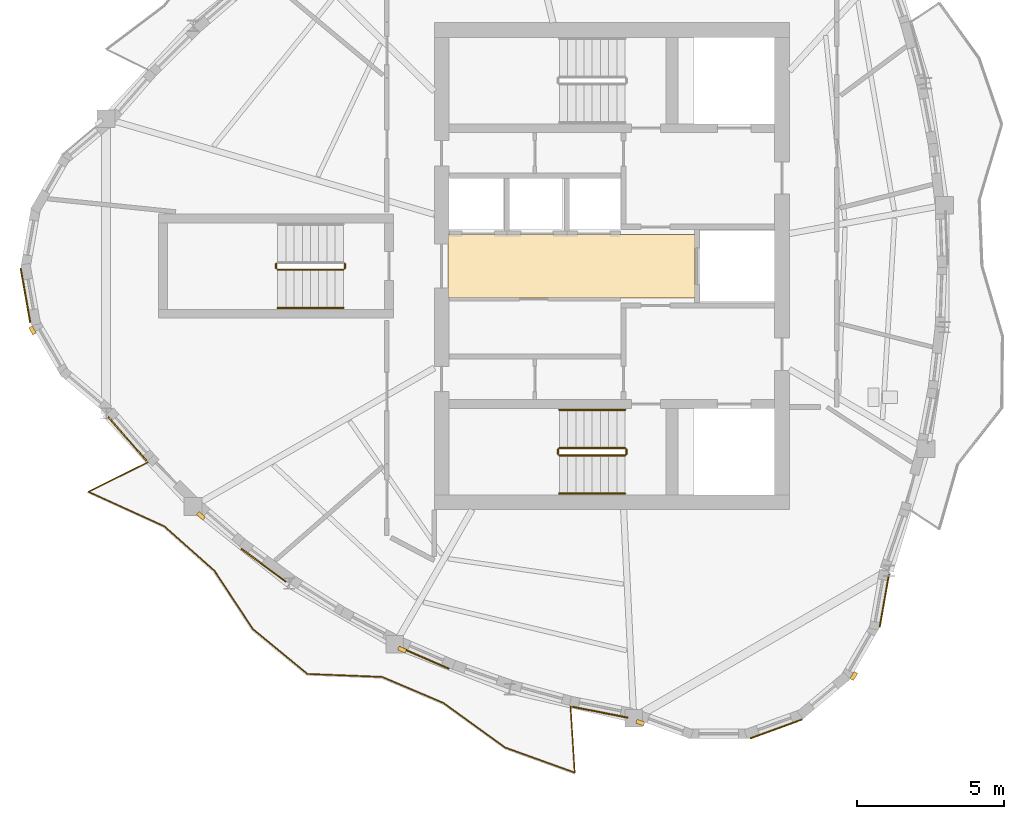
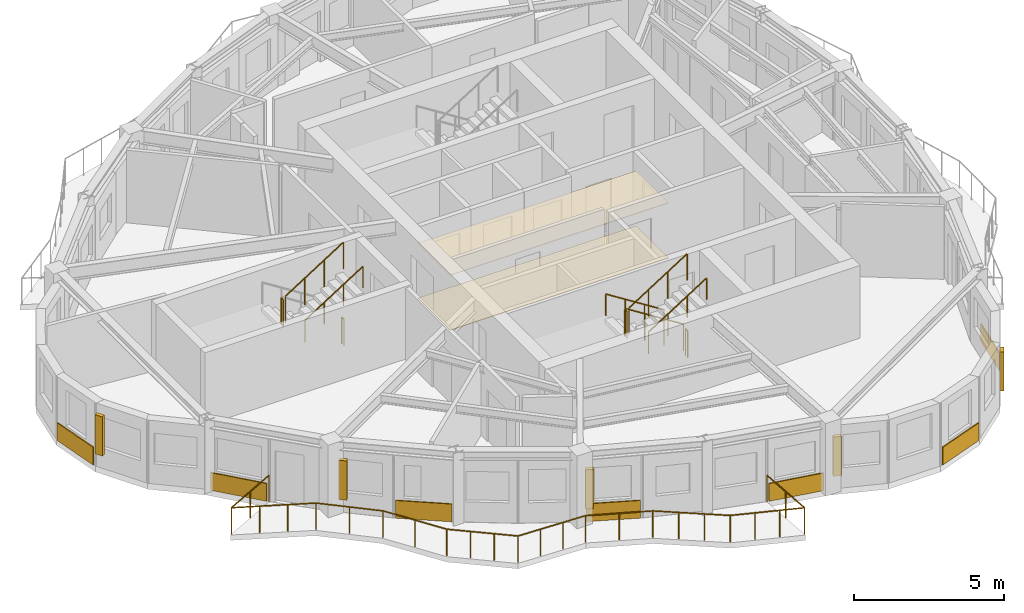
# One storey, part 8 of 11: 11 railings, 9 coverings, 5 shading devices.
"""IFC4 building model written with IfcOpenShell, lengths in metres."""

from ifc_helpers import new_model, si_unit, direction, frame, origin, origin_2d, place, context, subcontext, project, spatial, polyline, rectangle, circle, outline, extrude, source, transform, mapped, material, layer, layer_set, type_object, element, save


model = new_model("IFC4")

# Units and contexts
model_context = context("Model", 3, precision=1e-05, world=origin(), true_north=direction((0.0, 1.0)))
body_context = subcontext(model_context, "Body", "Model", "MODEL_VIEW")
ifc_project = project(units=[si_unit("LENGTHUNIT", "METRE"), si_unit("AREAUNIT", "SQUARE_METRE"), si_unit("VOLUMEUNIT", "CUBIC_METRE"), si_unit("PLANEANGLEUNIT", "RADIAN"), si_unit("MASSUNIT", "GRAM", prefix="KILO")], contexts=[model_context])

# Site, building, storey
site_placement = place(None, origin())
site = spatial("IfcSite", under=ifc_project, at=site_placement, CompositionType="ELEMENT")
building_placement = place(site_placement, origin())
building = spatial("IfcBuilding", under=site, at=building_placement, Name="Qafzar Sky-Pleat Residences", CompositionType="ELEMENT")
storey_placement = place(building_placement, frame((0.0, 0.0, 234.0)))
storey = spatial("IfcBuildingStorey", under=building, at=storey_placement, Name="L70", CompositionType="ELEMENT", Elevation=234.0)

# Coverings
ifc_material_1 = material(Name="Perforated acoustic gypsum board ceiling")
ifc_layer_1 = layer(ifc_material_1, 0.02001953125)
ifc_layer_set_1 = layer_set([ifc_layer_1], Name="Perforated acoustic gypsum board ceiling")
covering_type_1 = type_object("IfcCoveringType", Name="COV-CEIL-ACOUSTIC", PredefinedType="CEILING", material=ifc_layer_set_1)
covering_1_placement = place(storey_placement, frame((0.0, 0.0, 2.239990234375)))
element("IfcCovering", 1, at=covering_1_placement, inside=storey, type_object=covering_type_1, Name="L70 Passenger Lift Lobby Acoustic Ceiling", PredefinedType="CEILING", context=body_context, shape_type="SweptSolid", body=[
    extrude(outline(polyline([(33.179931640625, 24.919921875), (24.77001953125, 24.919921875), (24.77001953125, 27.080078125), (33.179931640625, 27.080078125), (33.179931640625, 24.919921875)])), origin(), (0.0, 0.0, 1.0), 0.02001953125),
])
ifc_material_2 = material(Name="Honed porcelain and Riyadh stone tile flooring", Category="masonry")
ifc_layer_2 = layer(ifc_material_2, 0.02001953125)
ifc_layer_set_2 = layer_set([ifc_layer_2], Name="Honed porcelain and Riyadh stone tile flooring")
covering_type_2 = type_object("IfcCoveringType", Name="COV-FLR-PORCELAIN", PredefinedType="FLOORING", material=ifc_layer_set_2)
covering_2_placement = place(storey_placement, origin())
element("IfcCovering", 2, at=covering_2_placement, inside=storey, type_object=covering_type_2, Name="L70 Passenger Lift Lobby Honed Stone Flooring", PredefinedType="FLOORING", context=body_context, shape_type="SweptSolid", body=[
    extrude(outline(polyline([(33.179931640625, 24.919921875), (24.77001953125, 24.919921875), (24.77001953125, 27.080078125), (33.179931640625, 27.080078125), (33.179931640625, 24.919921875)])), origin(), (0.0, 0.0, 1.0), 0.02001953125),
])

# Shading devices
ifc_material_3 = material(Name="Honed Riyadh limestone solar fin", Category="masonry")
ifc_layer_3 = layer(ifc_material_3, 0.139892578125)
ifc_layer_set_3 = layer_set([ifc_layer_3], Name="Honed Riyadh limestone solar fin")
shading_device_type = type_object("IfcShadingDeviceType", Name="SHD-FIN-STONE", PredefinedType="SHUTTER", material=ifc_layer_set_3)
shared_shape_1 = source(origin(), body_context, "Body", "SweptSolid", [
    extrude(rectangle(XDim=0.139892578125, YDim=0.280029296875, at=origin_2d()), origin(), (0.0, 0.0, 1.0), 1.60009765625),
])
for number, where, z_axis, x_axis, name in (
    (3, (10.6044921875, 23.80859375, 0.599853515625), (0.0, 0.0, 1.0), (-0.86604422228, -0.499967403994, 0.0), "L70 Limestone Solar Fin 5"),
    (4, (16.344482421875, 17.4892578125, 0.599853515625), (0.0, 0.0, 1.0), (-0.652846034361, -0.757490630582, 0.0), "L70 Limestone Solar Fin 9"),
    (5, (23.202392578125, 12.927734375, 0.599853515625), (0.0, 0.0, 1.0), (-0.398671879027, -0.917093633646, 0.0), "L70 Limestone Solar Fin 13"),
    (6, (31.318115234375, 10.443115234375, 0.599853515625), (0.0, 0.0, 1.0), (-0.342010122116, -0.939696268148, 0.0), "L70 Limestone Solar Fin 17"),
    (7, (38.595458984375, 12.03076171875, 0.599853515625), (0.0, 0.0, 1.0), (0.86603181203, -0.499988900429, 0.0), "L70 Limestone Solar Fin 21"),
):
    element("IfcShadingDevice", number, at=place(storey_placement, frame(where, z_axis=z_axis, x_axis=x_axis)), inside=storey, type_object=shading_device_type, Name=name, PredefinedType="SHUTTER", context=body_context, shape_type="MappedRepresentation", body=[
        mapped(shared_shape_1, transform((0.0, 0.0, 0.0), x_axis=(1.0, 0.0, 0.0), y_axis=(0.0, 1.0, 0.0), z_axis=(0.0, 0.0, 1.0), scale=1.0)),
    ])

# Coverings
ifc_material_4 = material(Name="Honed Riyadh Tuwaiq limestone cladding", Category="masonry")
ifc_layer_4 = layer(ifc_material_4, 0.044921875)
ifc_layer_set_4 = layer_set([ifc_layer_4], Name="Honed Riyadh Tuwaiq limestone cladding")
covering_type_3 = type_object("IfcCoveringType", Name="COV-CLAD-STONE", PredefinedType="CLADDING", material=ifc_layer_set_4)
shared_shape_2 = source(origin(), body_context, "Body", "SweptSolid", [
    extrude(rectangle(XDim=1.88134765625, YDim=0.044921875, at=origin_2d()), origin(), (0.0, 0.0, 1.0), 0.719970703125),
])
covering_3_placement = place(storey_placement, frame((10.36328125, 25.00439453125, 0.02001953125), z_axis=(0.0, 0.0, 1.0), x_axis=(0.173662519465, -0.984805224059, 0.0)))
element("IfcCovering", 8, at=covering_3_placement, inside=storey, type_object=covering_type_3, Name="L70 Riyadh Limestone Spandrel Cladding 4", PredefinedType="CLADDING", context=body_context, shape_type="MappedRepresentation", body=[
    mapped(shared_shape_2, transform((0.0, 0.0, 0.0), x_axis=(1.0, 0.0, 0.0), y_axis=(0.0, 1.0, 0.0), z_axis=(0.0, 0.0, 1.0), scale=1.0)),
])
shared_shape_3 = source(origin(), body_context, "Body", "SweptSolid", [
    extrude(rectangle(XDim=1.8291015625, YDim=0.044921875, at=origin_2d()), origin(), (0.0, 0.0, 1.0), 0.719970703125),
])
covering_4_placement = place(storey_placement, frame((39.63671875, 14.592041015625, 0.02001953125), z_axis=(0.0, 0.0, 1.0), x_axis=(0.173687091871, 0.984800890595, 0.0)))
element("IfcCovering", 9, at=covering_4_placement, inside=storey, type_object=covering_type_3, Name="L70 Riyadh Limestone Spandrel Cladding 22", PredefinedType="CLADDING", context=body_context, shape_type="MappedRepresentation", body=[
    mapped(shared_shape_3, transform((0.0, 0.0, 0.0), x_axis=(1.0, 0.0, 0.0), y_axis=(0.0, 1.0, 0.0), z_axis=(0.0, 0.0, 1.0), scale=1.0)),
])
shared_shape_4 = source(origin(), body_context, "Body", "SweptSolid", [
    extrude(rectangle(XDim=1.881103515625, YDim=0.044921875, at=origin_2d()), origin(), (0.0, 0.0, 1.0), 0.719970703125),
])
covering_5_placement = place(storey_placement, frame((35.9560546875, 10.228271484375, 0.02001953125), z_axis=(0.0, 0.0, 1.0), x_axis=(0.939709584691, 0.341973531784, 0.0)))
element("IfcCovering", 10, at=covering_5_placement, inside=storey, type_object=covering_type_3, Name="L70 Riyadh Limestone Spandrel Cladding 19", PredefinedType="CLADDING", context=body_context, shape_type="MappedRepresentation", body=[
    mapped(shared_shape_4, transform((0.0, 0.0, 0.0), x_axis=(1.0, 0.0, 0.0), y_axis=(0.0, 1.0, 0.0), z_axis=(0.0, 0.0, 1.0), scale=1.0)),
])

# Railing
ifc_material_5 = material(Name="Laminated glass and bronze steel balustrade", Category="steel")
railing_type_1 = type_object("IfcRailingType", Name="RAIL-BAL-1100", PredefinedType="BALUSTRADE", material=ifc_material_5)
shared_shape_5 = source(origin(), body_context, "Body", "SweptSolid", [
    extrude(circle(Radius=0.02392578125, at=origin_2d()), frame((0.0, 0.0, 1.076171875), z_axis=(-0.89564942383, -0.444760732971, 0.0), x_axis=(0.444760732971, -0.89564942383, 0.0)), (0.0, 0.0, 1.0), 2.27099609375),
    extrude(circle(Radius=0.02392578125, at=origin_2d()), frame((-2.033935546875, -1.010009765625, 1.076171875), z_axis=(0.910366477463, -0.413802944301, 0.0), x_axis=(0.413802944301, 0.910366477463, 0.0)), (0.0, 0.0, 1.0), 2.8408203125),
    extrude(circle(Radius=0.02392578125, at=origin_2d()), frame((0.55224609375, -2.185546875, 1.076171875), z_axis=(0.748363819433, -0.663288469494, 0.0), x_axis=(0.663288469494, 0.748363819433, 0.0)), (0.0, 0.0, 1.0), 2.2841796875),
    extrude(circle(Radius=0.02392578125, at=origin_2d()), frame((2.26171875, -3.70068359375, 1.076171875), z_axis=(0.550173671464, -0.835050256708, 0.0), x_axis=(0.835050256708, 0.550173671464, 0.0)), (0.0, 0.0, 1.0), 2.381591796875),
    extrude(circle(Radius=0.02392578125, at=origin_2d()), frame((3.572021484375, -5.689453125, 1.076171875), z_axis=(0.772459752686, -0.63506372159, 0.0), x_axis=(0.63506372159, 0.772459752686, 0.0)), (0.0, 0.0, 1.0), 2.40771484375),
    extrude(circle(Radius=0.02392578125, at=origin_2d()), frame((5.431884765625, -7.218505859375, 1.076171875), z_axis=(0.99920889914, -0.039769031662, 0.0), x_axis=(0.039769031662, 0.99920889914, 0.0)), (0.0, 0.0, 1.0), 2.547607421875),
    extrude(circle(Radius=0.02392578125, at=origin_2d()), frame((7.9775390625, -7.31982421875, 1.076171875), z_axis=(0.920510173291, -0.390718595498, 0.0), x_axis=(0.390718595498, 0.920510173291, 0.0)), (0.0, 0.0, 1.0), 2.266357421875),
    extrude(circle(Radius=0.02392578125, at=origin_2d()), frame((10.063720703125, -8.205322265625, 1.076171875), z_axis=(0.810582500659, -0.58562446126, 0.0), x_axis=(0.58562446126, 0.810582500659, 0.0)), (0.0, 0.0, 1.0), 2.595947265625),
    extrude(circle(Radius=0.02392578125, at=origin_2d()), frame((12.16796875, -9.7255859375, 1.076171875), z_axis=(0.940896046859, -0.338695481231, 0.0), x_axis=(0.338695481231, 0.940896046859, 0.0)), (0.0, 0.0, 1.0), 2.52294921875),
    extrude(circle(Radius=0.02392578125, at=origin_2d()), frame((14.541748046875, -10.580078125, 1.076171875), z_axis=(-0.062679484192, 0.998033707979, 0.0), x_axis=(-0.998033707979, -0.062679484192, 0.0)), (0.0, 0.0, 1.0), 2.270751953125),
    extrude(circle(Radius=0.02099609375, at=origin_2d()), origin(), (0.0, 0.0, 1.0), 1.052001953125),
    extrude(circle(Radius=0.02099609375, at=origin_2d()), frame((-1.01708984375, -0.5048828125, 0.0)), (0.0, 0.0, 1.0), 1.052001953125),
    extrude(circle(Radius=0.02099609375, at=origin_2d()), frame((-2.033935546875, -1.010009765625, 0.0)), (0.0, 0.0, 1.0), 1.052001953125),
    extrude(circle(Radius=0.02099609375, at=origin_2d()), frame((-1.171875, -1.40185546875, 0.0)), (0.0, 0.0, 1.0), 1.052001953125),
    extrude(circle(Radius=0.02099609375, at=origin_2d()), frame((-0.309814453125, -1.793701171875, 0.0)), (0.0, 0.0, 1.0), 1.052001953125),
    extrude(circle(Radius=0.02099609375, at=origin_2d()), frame((0.55224609375, -2.185546875, 0.0)), (0.0, 0.0, 1.0), 1.052001953125),
    extrude(circle(Radius=0.02099609375, at=origin_2d()), frame((1.406982421875, -2.943115234375, 0.0)), (0.0, 0.0, 1.0), 1.052001953125),
    extrude(circle(Radius=0.02099609375, at=origin_2d()), frame((2.26171875, -3.70068359375, 0.0)), (0.0, 0.0, 1.0), 1.052001953125),
    extrude(circle(Radius=0.02099609375, at=origin_2d()), frame((2.9169921875, -4.695068359375, 0.0)), (0.0, 0.0, 1.0), 1.052001953125),
    extrude(circle(Radius=0.02099609375, at=origin_2d()), frame((3.572021484375, -5.689453125, 0.0)), (0.0, 0.0, 1.0), 1.052001953125),
    extrude(circle(Radius=0.02099609375, at=origin_2d()), frame((4.19189453125, -6.19921875, 0.0)), (0.0, 0.0, 1.0), 1.052001953125),
    extrude(circle(Radius=0.02099609375, at=origin_2d()), frame((4.81201171875, -6.708740234375, 0.0)), (0.0, 0.0, 1.0), 1.052001953125),
    extrude(circle(Radius=0.02099609375, at=origin_2d()), frame((5.431884765625, -7.218505859375, 0.0)), (0.0, 0.0, 1.0), 1.052001953125),
    extrude(circle(Radius=0.02099609375, at=origin_2d()), frame((6.280517578125, -7.252197265625, 0.0)), (0.0, 0.0, 1.0), 1.052001953125),
    extrude(circle(Radius=0.02099609375, at=origin_2d()), frame((7.12890625, -7.2861328125, 0.0)), (0.0, 0.0, 1.0), 1.052001953125),
    extrude(circle(Radius=0.02099609375, at=origin_2d()), frame((7.9775390625, -7.31982421875, 0.0)), (0.0, 0.0, 1.0), 1.052001953125),
    extrude(circle(Radius=0.02099609375, at=origin_2d()), frame((9.0205078125, -7.7626953125, 0.0)), (0.0, 0.0, 1.0), 1.052001953125),
    extrude(circle(Radius=0.02099609375, at=origin_2d()), frame((10.063720703125, -8.205322265625, 0.0)), (0.0, 0.0, 1.0), 1.052001953125),
    extrude(circle(Radius=0.02099609375, at=origin_2d()), frame((10.76513671875, -8.712158203125, 0.0)), (0.0, 0.0, 1.0), 1.052001953125),
    extrude(circle(Radius=0.02099609375, at=origin_2d()), frame((11.466552734375, -9.21875, 0.0)), (0.0, 0.0, 1.0), 1.052001953125),
    extrude(circle(Radius=0.02099609375, at=origin_2d()), frame((12.16796875, -9.7255859375, 0.0)), (0.0, 0.0, 1.0), 1.052001953125),
    extrude(circle(Radius=0.02099609375, at=origin_2d()), frame((12.959228515625, -10.010498046875, 0.0)), (0.0, 0.0, 1.0), 1.052001953125),
    extrude(circle(Radius=0.02099609375, at=origin_2d()), frame((13.75048828125, -10.295166015625, 0.0)), (0.0, 0.0, 1.0), 1.052001953125),
    extrude(circle(Radius=0.02099609375, at=origin_2d()), frame((14.541748046875, -10.580078125, 0.0)), (0.0, 0.0, 1.0), 1.052001953125),
    extrude(circle(Radius=0.02099609375, at=origin_2d()), frame((14.470703125, -9.44677734375, 0.0)), (0.0, 0.0, 1.0), 1.052001953125),
    extrude(circle(Radius=0.02099609375, at=origin_2d()), frame((14.3994140625, -8.313720703125, 0.0)), (0.0, 0.0, 1.0), 1.052001953125),
])
railing_1_placement = place(storey_placement, frame((14.542724609375, 19.318359375, 0.0)))
element("IfcRailing", 11, at=railing_1_placement, inside=storey, type_object=railing_type_1, Name="L70 Pleated Balcony 3 Balustrade", PredefinedType="BALUSTRADE", context=body_context, shape_type="MappedRepresentation", body=[
    mapped(shared_shape_5, transform((0.0, 0.0, 0.0), x_axis=(1.0, 0.0, 0.0), y_axis=(0.0, 1.0, 0.0), z_axis=(0.0, 0.0, 1.0), scale=1.0)),
])

# Coverings
shared_shape_6 = source(origin(), body_context, "Body", "SweptSolid", [
    extrude(rectangle(XDim=1.99169921875, YDim=0.044921875, at=origin_2d()), origin(), (0.0, 0.0, 1.0), 0.719970703125),
])
covering_6_placement = place(storey_placement, frame((13.834228515625, 20.114013671875, 0.02001953125), z_axis=(0.0, 0.0, 1.0), x_axis=(0.657605136611, -0.753362783991, 0.0)))
element("IfcCovering", 12, at=covering_6_placement, inside=storey, type_object=covering_type_3, Name="L70 Riyadh Limestone Spandrel Cladding 7", PredefinedType="CLADDING", context=body_context, shape_type="MappedRepresentation", body=[
    mapped(shared_shape_6, transform((0.0, 0.0, 0.0), x_axis=(1.0, 0.0, 0.0), y_axis=(0.0, 1.0, 0.0), z_axis=(0.0, 0.0, 1.0), scale=1.0)),
])
shared_shape_7 = source(origin(), body_context, "Body", "SweptSolid", [
    extrude(rectangle(XDim=1.897216796875, YDim=0.044921875, at=origin_2d()), origin(), (0.0, 0.0, 1.0), 0.719970703125),
])
covering_7_placement = place(storey_placement, frame((18.48046875, 15.8046875, 0.02001953125), z_axis=(0.0, 0.0, 1.0), x_axis=(0.803820124784, -0.594872429174, 0.0)))
element("IfcCovering", 13, at=covering_7_placement, inside=storey, type_object=covering_type_3, Name="L70 Riyadh Limestone Spandrel Cladding 10", PredefinedType="CLADDING", context=body_context, shape_type="MappedRepresentation", body=[
    mapped(shared_shape_7, transform((0.0, 0.0, 0.0), x_axis=(1.0, 0.0, 0.0), y_axis=(0.0, 1.0, 0.0), z_axis=(0.0, 0.0, 1.0), scale=1.0)),
])
shared_shape_8 = source(origin(), body_context, "Body", "SweptSolid", [
    extrude(rectangle(XDim=1.83447265625, YDim=0.044921875, at=origin_2d()), origin(), (0.0, 0.0, 1.0), 0.719970703125),
])
covering_8_placement = place(storey_placement, frame((23.96240234375, 12.644287109375, 0.02001953125), z_axis=(0.0, 0.0, 1.0), x_axis=(0.917087215787, -0.398686642165, 0.0)))
element("IfcCovering", 14, at=covering_8_placement, inside=storey, type_object=covering_type_3, Name="L70 Riyadh Limestone Spandrel Cladding 13", PredefinedType="CLADDING", context=body_context, shape_type="MappedRepresentation", body=[
    mapped(shared_shape_8, transform((0.0, 0.0, 0.0), x_axis=(1.0, 0.0, 0.0), y_axis=(0.0, 1.0, 0.0), z_axis=(0.0, 0.0, 1.0), scale=1.0)),
])
shared_shape_9 = source(origin(), body_context, "Body", "SweptSolid", [
    extrude(rectangle(XDim=1.928466796875, YDim=0.044921875, at=origin_2d()), origin(), (0.0, 0.0, 1.0), 0.719970703125),
])
covering_9_placement = place(storey_placement, frame((29.951171875, 10.7958984375, 0.02001953125), z_axis=(0.0, 0.0, 1.0), x_axis=(0.98123037455, -0.192839187047, 0.0)))
element("IfcCovering", 15, at=covering_9_placement, inside=storey, type_object=covering_type_3, Name="L70 Riyadh Limestone Spandrel Cladding 16", PredefinedType="CLADDING", context=body_context, shape_type="MappedRepresentation", body=[
    mapped(shared_shape_9, transform((0.0, 0.0, 0.0), x_axis=(1.0, 0.0, 0.0), y_axis=(0.0, 1.0, 0.0), z_axis=(0.0, 0.0, 1.0), scale=1.0)),
])

# Railings
ifc_material_6 = material(Name="Painted Steel S355 stair guardrail", Category="steel")
railing_type_2 = type_object("IfcRailingType", Name="RAIL-STAIR-GUARD", PredefinedType="GUARDRAIL", material=ifc_material_6)
shared_shape_10 = source(origin(), body_context, "Body", "SweptSolid", [
    extrude(circle(Radius=0.02392578125, at=origin_2d()), frame((0.0, 0.0, 1.076171875), z_axis=(0.0, -1.0, 0.0), x_axis=(1.0, 0.0, 0.0)), (0.0, 0.0, 1.0), 0.14990234375),
    extrude(circle(Radius=0.02099609375, at=origin_2d()), origin(), (0.0, 0.0, 1.0), 1.052001953125),
    extrude(circle(Radius=0.02099609375, at=origin_2d()), frame((0.0, -0.14990234375, 0.0)), (0.0, 0.0, 1.0), 1.052001953125),
])
for number, where, name in (
    (16, (28.510009765625, 19.75, 1.60009765625), "L70 ST1 stair guard 2"),
    (17, (30.85009765625, 19.75, 0.0), "L70 ST1 stair guard 4"),
    (18, (18.909912109375, 26.074951171875, 1.60009765625), "L70 ST3 stair guard 2"),
    (19, (21.25, 26.074951171875, 0.0), "L70 ST3 stair guard 4"),
):
    element("IfcRailing", number, at=place(storey_placement, frame(where)), inside=storey, type_object=railing_type_2, Name=name, PredefinedType="GUARDRAIL", context=body_context, shape_type="MappedRepresentation", body=[
        mapped(shared_shape_10, transform((0.0, 0.0, 0.0), x_axis=(1.0, 0.0, 0.0), y_axis=(0.0, 1.0, 0.0), z_axis=(0.0, 0.0, 1.0), scale=1.0)),
    ])
shared_shape_11 = source(origin(), body_context, "Body", "SweptSolid", [
    extrude(circle(Radius=0.02392578125, at=origin_2d()), frame((0.0, 0.0, 1.076171875), z_axis=(0.8442293374, 0.0, 0.53598211339), x_axis=(0.0, 1.0, 0.0)), (0.0, 0.0, 1.0), 2.6533203125),
    extrude(circle(Radius=0.02099609375, at=origin_2d()), origin(), (0.0, 0.0, 1.0), 1.052001953125),
    extrude(circle(Radius=0.02099609375, at=origin_2d()), frame((0.74658203125, 0.0, 0.47412109375)), (0.0, 0.0, 1.0), 1.052001953125),
    extrude(circle(Radius=0.02099609375, at=origin_2d()), frame((1.493408203125, 0.0, 0.947998046875)), (0.0, 0.0, 1.0), 1.052001953125),
    extrude(circle(Radius=0.02099609375, at=origin_2d()), frame((2.239990234375, 0.0, 1.422119140625)), (0.0, 0.0, 1.0), 1.052001953125),
])
for number, where, name in (
    (20, (28.56005859375, 19.550048828125, 1.77783203125), "L70 ST1 stair guard 3"),
    (21, (18.9599609375, 25.875, 1.77783203125), "L70 ST3 stair guard 3"),
):
    element("IfcRailing", number, at=place(storey_placement, frame(where)), inside=storey, type_object=railing_type_2, Name=name, PredefinedType="GUARDRAIL", context=body_context, shape_type="MappedRepresentation", body=[
        mapped(shared_shape_11, transform((0.0, 0.0, 0.0), x_axis=(1.0, 0.0, 0.0), y_axis=(0.0, 1.0, 0.0), z_axis=(0.0, 0.0, 1.0), scale=1.0)),
    ])
ifc_material_7 = material(Name="Brushed stainless steel handrail", Category="steel")
railing_type_3 = type_object("IfcRailingType", Name="RAIL-STAIR-HAND", PredefinedType="HANDRAIL", material=ifc_material_7)
shared_shape_12 = source(origin(), body_context, "Body", "SweptSolid", [
    extrude(circle(Radius=0.02392578125, at=origin_2d()), frame((0.0, 0.0, 0.8759765625), z_axis=(0.8442293374, 0.0, 0.53598211339), x_axis=(0.0, 1.0, 0.0)), (0.0, 0.0, 1.0), 2.6533203125),
    extrude(circle(Radius=0.02099609375, at=origin_2d()), origin(), (0.0, 0.0, 1.0), 0.851806640625),
    extrude(circle(Radius=0.02099609375, at=origin_2d()), frame((0.74658203125, 0.0, 0.47412109375)), (0.0, 0.0, 1.0), 0.851806640625),
    extrude(circle(Radius=0.02099609375, at=origin_2d()), frame((1.493408203125, 0.0, 0.947998046875)), (0.0, 0.0, 1.0), 0.851806640625),
    extrude(circle(Radius=0.02099609375, at=origin_2d()), frame((2.239990234375, 0.0, 1.422119140625)), (0.0, 0.0, 1.0), 0.851806640625),
])
for number, where, name in (
    (22, (28.56005859375, 18.25, 1.77783203125), "L70 ST1 stair handrail 2"),
    (23, (18.9599609375, 24.574951171875, 1.77783203125), "L70 ST3 stair handrail 2"),
):
    element("IfcRailing", number, at=place(storey_placement, frame(where)), inside=storey, type_object=railing_type_3, Name=name, PredefinedType="HANDRAIL", context=body_context, shape_type="MappedRepresentation", body=[
        mapped(shared_shape_12, transform((0.0, 0.0, 0.0), x_axis=(1.0, 0.0, 0.0), y_axis=(0.0, 1.0, 0.0), z_axis=(0.0, 0.0, 1.0), scale=1.0)),
    ])
shared_shape_13 = source(origin(), body_context, "Body", "SweptSolid", [
    extrude(circle(Radius=0.02392578125, at=origin_2d()), frame((0.0, 0.0, 1.076171875), z_axis=(-0.84418770128, 0.0, 0.536047689118), x_axis=(0.0, -1.0, 0.0)), (0.0, 0.0, 1.0), 2.6533203125),
    extrude(circle(Radius=0.02099609375, at=origin_2d()), origin(), (0.0, 0.0, 1.0), 1.052001953125),
    extrude(circle(Radius=0.02099609375, at=origin_2d()), frame((-0.74658203125, 0.0, 0.47412109375)), (0.0, 0.0, 1.0), 1.052001953125),
    extrude(circle(Radius=0.02099609375, at=origin_2d()), frame((-1.493408203125, 0.0, 0.9482421875)), (0.0, 0.0, 1.0), 1.052001953125),
    extrude(circle(Radius=0.02099609375, at=origin_2d()), frame((-2.239990234375, 0.0, 1.42236328125)), (0.0, 0.0, 1.0), 1.052001953125),
])
railing_2_placement = place(storey_placement, frame((30.800048828125, 19.800048828125, 0.177734375)))
element("IfcRailing", 24, at=railing_2_placement, inside=storey, type_object=railing_type_2, Name="L70 ST1 stair guard 1", PredefinedType="GUARDRAIL", context=body_context, shape_type="MappedRepresentation", body=[
    mapped(shared_shape_13, transform((0.0, 0.0, 0.0), x_axis=(1.0, 0.0, 0.0), y_axis=(0.0, 1.0, 0.0), z_axis=(0.0, 0.0, 1.0), scale=1.0)),
])
shared_shape_14 = source(origin(), body_context, "Body", "SweptSolid", [
    extrude(circle(Radius=0.02392578125, at=origin_2d()), frame((0.0, 0.0, 0.8759765625), z_axis=(-0.84418770128, 0.0, 0.536047689118), x_axis=(0.0, -1.0, 0.0)), (0.0, 0.0, 1.0), 2.6533203125),
    extrude(circle(Radius=0.02099609375, at=origin_2d()), origin(), (0.0, 0.0, 1.0), 0.851806640625),
    extrude(circle(Radius=0.02099609375, at=origin_2d()), frame((-0.74658203125, 0.0, 0.47412109375)), (0.0, 0.0, 1.0), 0.851806640625),
    extrude(circle(Radius=0.02099609375, at=origin_2d()), frame((-1.493408203125, 0.0, 0.9482421875)), (0.0, 0.0, 1.0), 0.851806640625),
    extrude(circle(Radius=0.02099609375, at=origin_2d()), frame((-2.239990234375, 0.0, 1.42236328125)), (0.0, 0.0, 1.0), 0.851806640625),
])
railing_3_placement = place(storey_placement, frame((30.800048828125, 21.10009765625, 0.177734375)))
element("IfcRailing", 25, at=railing_3_placement, inside=storey, type_object=railing_type_3, Name="L70 ST1 stair handrail 1", PredefinedType="HANDRAIL", context=body_context, shape_type="MappedRepresentation", body=[
    mapped(shared_shape_14, transform((0.0, 0.0, 0.0), x_axis=(1.0, 0.0, 0.0), y_axis=(0.0, 1.0, 0.0), z_axis=(0.0, 0.0, 1.0), scale=1.0)),
])

save(model, "model.ifc")
